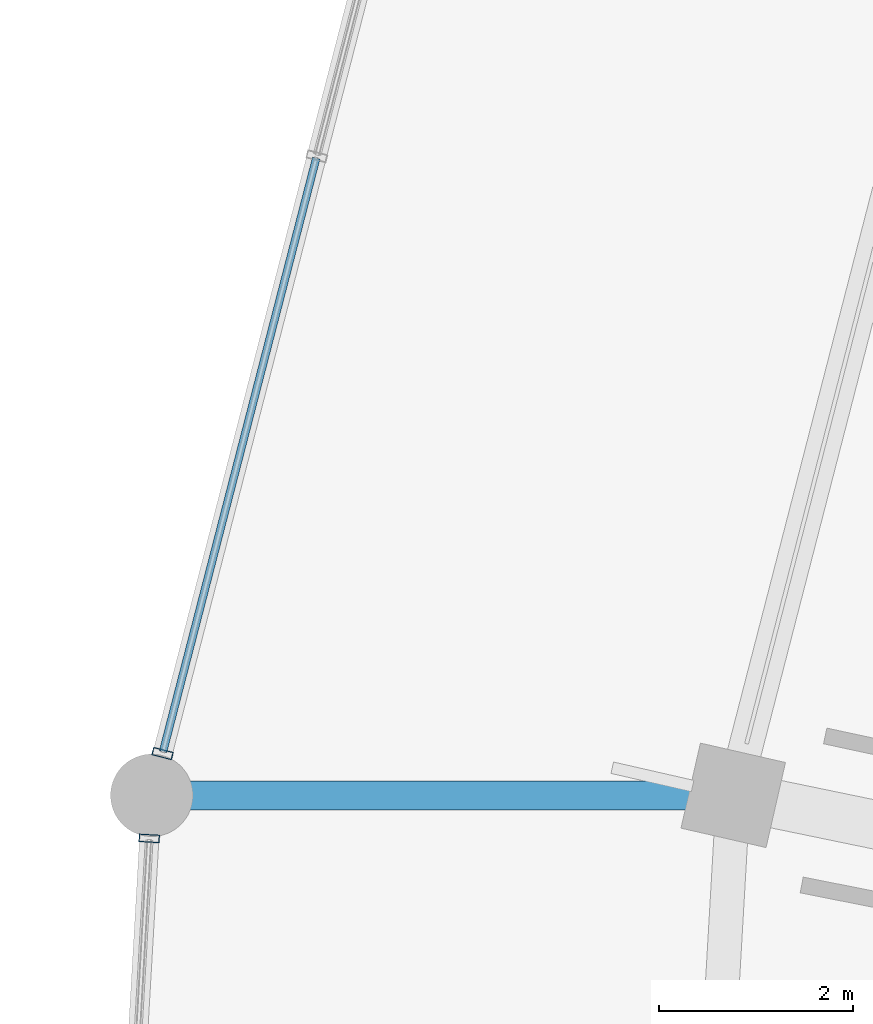
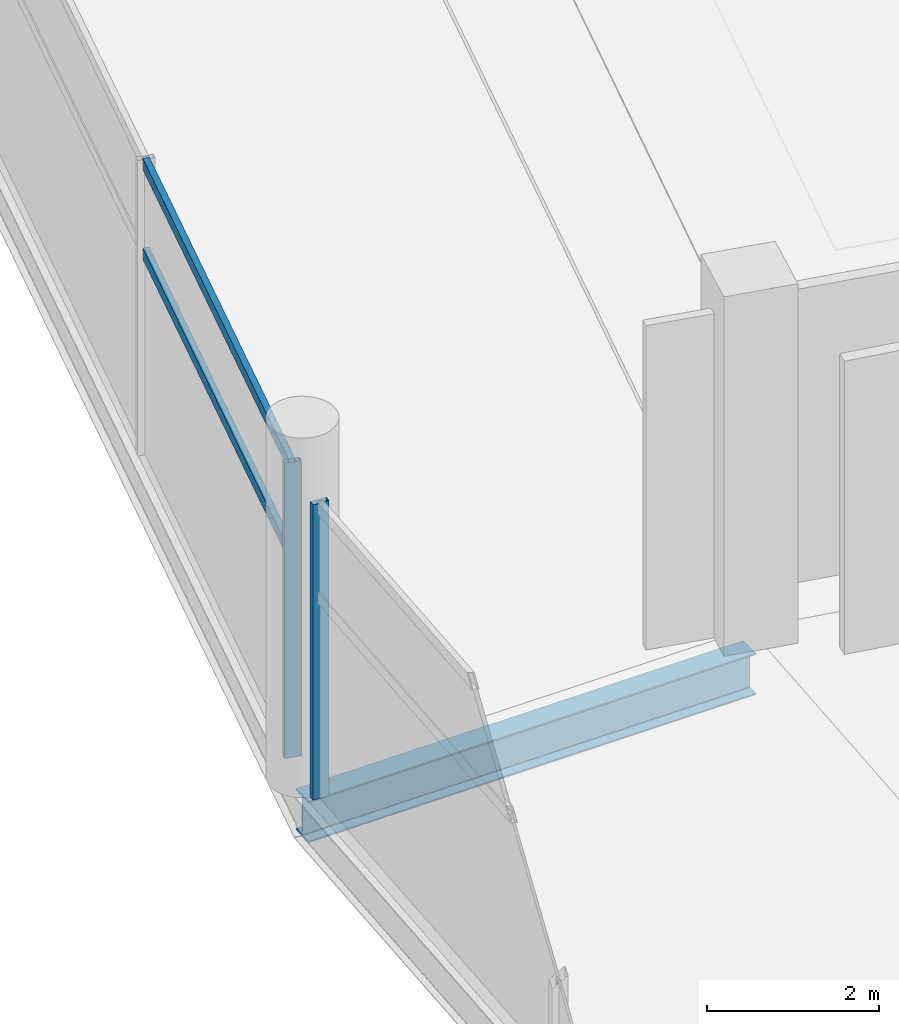
# One storey, part 48 of 184: 4 members, 1 beam, 2 elements without a shape of their own.
"""IFC4 building model written with IfcOpenShell, lengths in metres."""

from ifc_helpers import new_model, si_unit, direction, frame, origin, origin_2d, place, context, subcontext, project, spatial, hollow_rectangle, i_section, extrude, material, layer, layer_set, material_profile, profile_set, type_object, element, aggregate, save


model = new_model("IFC4")

# Units and contexts
model_context = context("Model", 3, precision=1e-05, world=origin(), true_north=direction((0.0, 1.0)))
body_context = subcontext(model_context, "Body", "Model", "MODEL_VIEW")
ifc_project = project(units=[si_unit("LENGTHUNIT", "METRE"), si_unit("AREAUNIT", "SQUARE_METRE"), si_unit("VOLUMEUNIT", "CUBIC_METRE"), si_unit("PLANEANGLEUNIT", "RADIAN"), si_unit("MASSUNIT", "GRAM", prefix="KILO")], contexts=[model_context])

# Site, building, storey
site_placement = place(None, origin())
site = spatial("IfcSite", under=ifc_project, at=site_placement, CompositionType="ELEMENT")
building_placement = place(site_placement, origin())
building = spatial("IfcBuilding", under=site, at=building_placement, Name="Kazemori Nagisa Stadium", CompositionType="ELEMENT")
storey_placement = place(building_placement, frame((0.0, 0.0, 10.5400390625)))
storey = spatial("IfcBuildingStorey", under=building, at=storey_placement, Name="L02", CompositionType="ELEMENT", Elevation=10.5400390625)

# Beam
ifc_material_1 = material(Name="Steel SN490B", Category="steel")
ifc_material_profile_1 = material_profile(ifc_material_1, i_section(OverallWidth=0.300048828125, OverallDepth=0.587890625, WebThickness=0.011962890625, FlangeThickness=0.02001953125, FilletRadius=0.012939453125, at=origin_2d()), Name="H-588x300x12x20")
ifc_profile_set_1 = profile_set([ifc_material_profile_1], Name="Steel SN490B")
beam_type = type_object("IfcBeamType", Name="Beam_BG-H588", PredefinedType="BEAM", material=ifc_profile_set_1)
beam_placement = place(storey_placement, frame((29.119140625, 121.397705078125, -0.553955078125), z_axis=(-1.0, 0.0, 0.0), x_axis=(0.0, -1.0, 0.0)))
element("IfcBeam", 1, at=beam_placement, inside=storey, type_object=beam_type, Name="Boulevard radial girder BG-H588 L02 R4-14", PredefinedType="BEAM", context=body_context, shape_type="SweptSolid", body=[
    extrude(i_section(OverallWidth=0.300048828125, OverallDepth=0.587890625, WebThickness=0.011962890625, FlangeThickness=0.02001953125, FilletRadius=0.012939453125, at=origin_2d()), origin(), (0.0, 0.0, 1.0), 6.0),
])

# Curtain wall, member
ifc_material_2 = material(Name="Anodised aluminium 6063-T5", Category="aluminium")
ifc_layer_1 = layer(ifc_material_2, 0.2099609375, Name="Anodised aluminium 6063-T5", Category="aluminium")
ifc_layer_set_1 = layer_set([ifc_layer_1], Name="Anodised aluminium 6063-T5")
curtain_wall_type_1 = type_object("IfcCurtainWallType", Name="CW_L02R3_96", PredefinedType="USERDEFINED", material=ifc_layer_set_1)
curtain_wall_1_placement = place(storey_placement, origin())
curtain_wall_1 = element("IfcCurtainWall", 2, at=curtain_wall_1_placement, inside=storey, type_object=curtain_wall_type_1, Name="Unitised curtain wall CW-L02R3-96 L02", ObjectType="UNITISED CURTAIN WALL", PredefinedType="USERDEFINED")
ifc_material_3 = material(Name="Aluminium 6063-T5 anodised", Category="aluminium")
ifc_material_profile_2 = material_profile(ifc_material_3, hollow_rectangle(XDim=0.080078125, YDim=0.2099609375, WallThickness=0.0048828125, at=origin_2d()), Name="ALU-MULL-80x210x5")
ifc_profile_set_2 = profile_set([ifc_material_profile_2], Name="Aluminium 6063-T5 anodised")
member_type_1 = type_object("IfcMemberType", Name="Mullion_M02", PredefinedType="MULLION", material=ifc_profile_set_2)
member_1_placement = place(storey_placement, frame((23.23046875, 121.82861328125, 0.0), z_axis=(0.0, 0.0, 1.0), x_axis=(-0.249964642418, -0.968254965152, 0.0)))
member_1 = element("IfcMember", 3, at=member_1_placement, type_object=member_type_1, Name="Curtain wall mullion CW-L02R3-96-M4", PredefinedType="MULLION", context=body_context, shape_type="SweptSolid", body=[
    extrude(hollow_rectangle(XDim=0.080078125, YDim=0.2099609375, WallThickness=0.0048828125, at=origin_2d()), origin(), (0.0, 0.0, 1.0), 4.18994140625),
])

ifc_layer_2 = layer(ifc_material_2, 0.2099609375, Name="Anodised aluminium 6063-T5", Category="aluminium")
ifc_layer_set_2 = layer_set([ifc_layer_2], Name="Anodised aluminium 6063-T5")
curtain_wall_type_2 = type_object("IfcCurtainWallType", Name="CW_L02R3_93", PredefinedType="USERDEFINED", material=ifc_layer_set_2)
curtain_wall_2_placement = place(storey_placement, origin())
curtain_wall_2 = element("IfcCurtainWall", 4, at=curtain_wall_2_placement, inside=storey, type_object=curtain_wall_type_2, Name="Unitised curtain wall CW-L02R3-93 L02", ObjectType="UNITISED CURTAIN WALL", PredefinedType="USERDEFINED")
member_2_placement = place(storey_placement, frame((23.093505859375, 120.953369140625, 0.0), z_axis=(0.0, 0.0, 1.0), x_axis=(-0.057601670941, -0.998339645364, 0.0)))
member_2 = element("IfcMember", 5, at=member_2_placement, type_object=member_type_1, Name="Curtain wall mullion CW-L02R3-93-M1", PredefinedType="MULLION", context=body_context, shape_type="SweptSolid", body=[
    extrude(hollow_rectangle(XDim=0.080078125, YDim=0.2099609375, WallThickness=0.0048828125, at=origin_2d()), origin(), (0.0, 0.0, 1.0), 4.18994140625),
])
aggregate(curtain_wall_2, [member_2])

# Member
ifc_material_profile_3 = material_profile(ifc_material_3, hollow_rectangle(XDim=0.080078125, YDim=0.159912109375, WallThickness=0.00390625, at=origin_2d()), Name="ALU-TRAN-80x160x4")
ifc_profile_set_3 = profile_set([ifc_material_profile_3], Name="Aluminium 6063-T5 anodised")
member_type_2 = type_object("IfcMemberType", Name="Transom_T02", PredefinedType="USERDEFINED", material=ifc_profile_set_3)
member_3_placement = place(storey_placement, frame((24.816650390625, 127.97265625, 2.84912109375), z_axis=(-0.249984240369, -0.968249905534, 0.0), x_axis=(0.968249905534, -0.249984240369, 0.0)))
member_3 = element("IfcMember", 6, at=member_3_placement, type_object=member_type_2, Name="Curtain wall transom CW-L02R3-96-T3-mid", ObjectType="TRANSOM", PredefinedType="USERDEFINED", context=body_context, shape_type="SweptSolid", body=[
    extrude(hollow_rectangle(XDim=0.080078125, YDim=0.159912109375, WallThickness=0.00390625, at=origin_2d()), origin(), (0.0, 0.0, 1.0), 6.32568359375),
])

member_4_placement = place(storey_placement, frame((24.816650390625, 127.97265625, 4.119873046875), z_axis=(-0.249984240369, -0.968249905534, 0.0), x_axis=(0.968249905534, -0.249984240369, 0.0)))
member_4 = element("IfcMember", 7, at=member_4_placement, type_object=member_type_2, Name="Curtain wall transom CW-L02R3-96-T3-head", ObjectType="TRANSOM", PredefinedType="USERDEFINED", context=body_context, shape_type="SweptSolid", body=[
    extrude(hollow_rectangle(XDim=0.080078125, YDim=0.159912109375, WallThickness=0.00390625, at=origin_2d()), origin(), (0.0, 0.0, 1.0), 6.32568359375),
])

aggregate(curtain_wall_1, [member_1, member_3, member_4])

save(model, "model.ifc")
